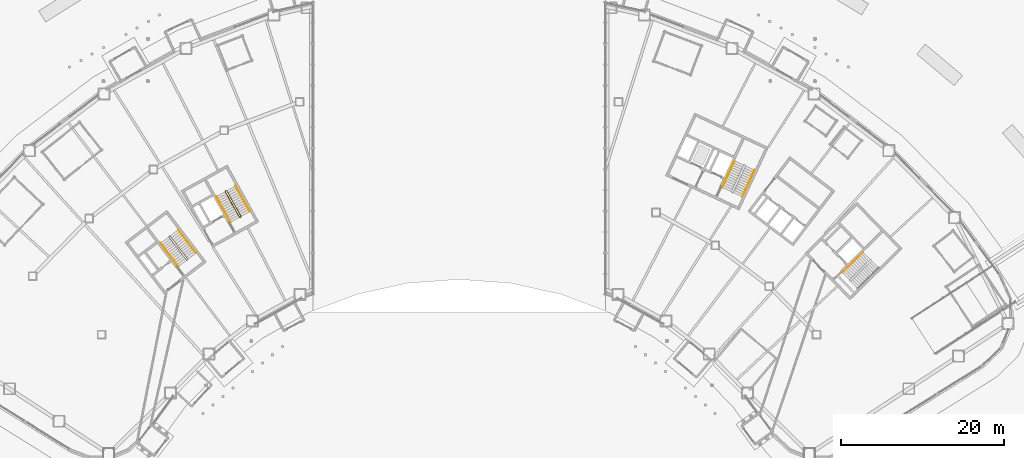
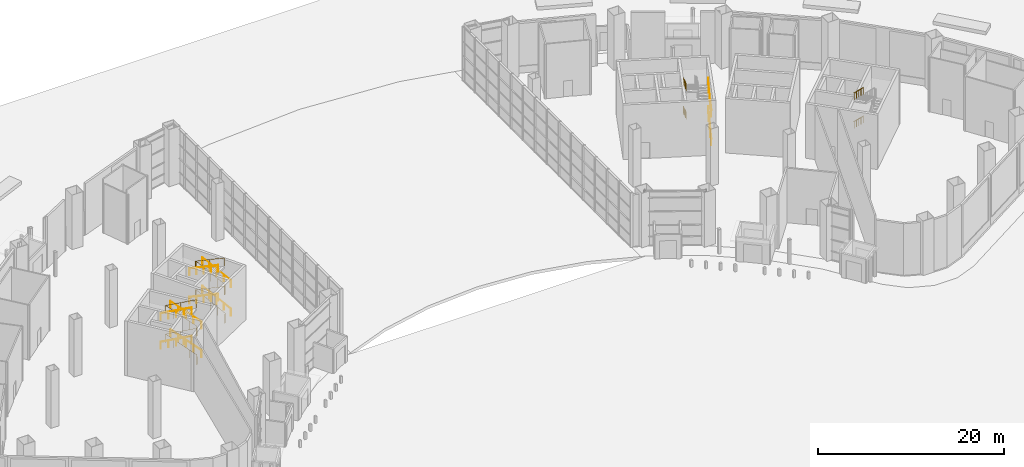
# One storey, part 40 of 45: 16 railings.
"""IFC4 building model written with IfcOpenShell, lengths in metres."""

from ifc_helpers import new_model, si_unit, direction, frame, origin, origin_2d, place, context, subcontext, project, spatial, circle, extrude, material, type_object, element, save


model = new_model("IFC4")

# Units and contexts
model_context = context("Model", 3, precision=1e-05, world=origin(), true_north=direction((0.0, 1.0)))
body_context = subcontext(model_context, "Body", "Model", "MODEL_VIEW")
ifc_project = project(units=[si_unit("LENGTHUNIT", "METRE"), si_unit("AREAUNIT", "SQUARE_METRE"), si_unit("VOLUMEUNIT", "CUBIC_METRE"), si_unit("PLANEANGLEUNIT", "RADIAN"), si_unit("MASSUNIT", "GRAM", prefix="KILO")], contexts=[model_context])

# Site, building, storey
site_placement = place(None, origin())
site = spatial("IfcSite", under=ifc_project, at=site_placement, CompositionType="ELEMENT")
building_placement = place(site_placement, origin())
building = spatial("IfcBuilding", under=site, at=building_placement, Name="Tuul Gate Civic Tower", CompositionType="ELEMENT")
storey_placement = place(building_placement, origin())
storey = spatial("IfcBuildingStorey", under=building, at=storey_placement, Name="Level 00", CompositionType="ELEMENT", Elevation=0.0)

# Railings
ifc_material_1 = material(Name="Painted steel", Category="steel")
railing_type_1 = type_object("IfcRailingType", Name="Stair guard", PredefinedType="GUARDRAIL", material=ifc_material_1)
railing_1_placement = place(storey_placement, frame((-33.382080078125, -13.515380859375, 0.0)))
element("IfcRailing", 1, at=railing_1_placement, inside=storey, type_object=railing_type_1, Name="Level 00 ST-1 stair guard 1", PredefinedType="GUARDRAIL", context=body_context, shape_type="SweptSolid", body=[
    extrude(circle(Radius=0.02392578125, at=origin_2d()), frame((0.0, 0.0, 1.076171875), z_axis=(-0.795879841968, -0.605454603706, 0.0), x_axis=(0.605454603706, -0.795879841968, 0.0)), (0.0, 0.0, 1.0), 0.10009765625),
    extrude(circle(Radius=0.02392578125, at=origin_2d()), frame((-0.07958984375, -0.060546875, 1.076171875), z_axis=(0.416299286957, 0.61019210554, 0.674062681073), x_axis=(-0.826063974707, 0.563576356576, 0.0)), (0.0, 0.0, 1.0), 0.214111328125),
    extrude(circle(Radius=0.02392578125, at=origin_2d()), frame((0.009521484375, 0.070068359375, 1.22021484375), z_axis=(-0.545940509368, 0.717081734875, 0.433292909865), x_axis=(-0.795649622695, -0.605757111312, 0.0)), (0.0, 0.0, 1.0), 3.994384765625),
    extrude(circle(Radius=0.02392578125, at=origin_2d()), frame((-2.171142578125, 2.934326171875, 2.951171875), z_axis=(-0.990893089246, 0.134650977284, 0.0), x_axis=(-0.134650977284, -0.990893089246, 0.0)), (0.0, 0.0, 1.0), 0.07080078125),
    extrude(circle(Radius=0.02392578125, at=origin_2d()), frame((-2.2412109375, 2.94384765625, 2.951171875), z_axis=(-0.795879841968, -0.605454603706, 0.0), x_axis=(0.605454603706, -0.795879841968, 0.0)), (0.0, 0.0, 1.0), 0.10009765625),
    extrude(circle(Radius=0.02392578125, at=origin_2d()), frame((-2.32080078125, 2.88330078125, 2.951171875), z_axis=(-0.059256353185, -0.436065983694, 0.897961659801), x_axis=(0.990893089246, -0.134650977284, 0.0)), (0.0, 0.0, 1.0), 0.16064453125),
    extrude(circle(Radius=0.02392578125, at=origin_2d()), frame((-2.330322265625, 2.813232421875, 3.09521484375), z_axis=(0.545940509368, -0.717081734875, 0.433292909865), x_axis=(0.795649622695, 0.605757111312, 0.0)), (0.0, 0.0, 1.0), 3.994384765625),
    extrude(circle(Radius=0.02392578125, at=origin_2d()), frame((-0.149658203125, -0.051025390625, 4.826171875), z_axis=(0.946499470085, 0.32270536582, 0.0), x_axis=(-0.32270536582, 0.946499470085, 0.0)), (0.0, 0.0, 1.0), 0.158203125),
    extrude(circle(Radius=0.02392578125, at=origin_2d()), frame((0.0, 0.0, 4.826171875), z_axis=(-0.795879841968, -0.605454603706, 0.0), x_axis=(0.605454603706, -0.795879841968, 0.0)), (0.0, 0.0, 1.0), 0.10009765625),
    extrude(circle(Radius=0.02392578125, at=origin_2d()), frame((-0.07958984375, -0.060546875, 4.826171875), z_axis=(0.416299286957, 0.61019210554, 0.674062681073), x_axis=(-0.826063974707, 0.563576356576, 0.0)), (0.0, 0.0, 1.0), 0.214111328125),
    extrude(circle(Radius=0.02392578125, at=origin_2d()), frame((0.009521484375, 0.070068359375, 4.97021484375), z_axis=(-0.545940509368, 0.717081734875, 0.433292909865), x_axis=(-0.795649622695, -0.605757111312, 0.0)), (0.0, 0.0, 1.0), 3.994384765625),
    extrude(circle(Radius=0.02392578125, at=origin_2d()), frame((-2.171142578125, 2.934326171875, 6.701171875), z_axis=(-0.990893089246, 0.134650977284, 0.0), x_axis=(-0.134650977284, -0.990893089246, 0.0)), (0.0, 0.0, 1.0), 0.07080078125),
    extrude(circle(Radius=0.02392578125, at=origin_2d()), frame((-2.2412109375, 2.94384765625, 6.701171875), z_axis=(-0.795879841968, -0.605454603706, 0.0), x_axis=(0.605454603706, -0.795879841968, 0.0)), (0.0, 0.0, 1.0), 0.10009765625),
    extrude(circle(Radius=0.02392578125, at=origin_2d()), frame((-2.32080078125, 2.88330078125, 6.701171875), z_axis=(-0.059256353185, -0.436065983694, 0.897961659801), x_axis=(0.990893089246, -0.134650977284, 0.0)), (0.0, 0.0, 1.0), 0.16064453125),
    extrude(circle(Radius=0.02392578125, at=origin_2d()), frame((-2.330322265625, 2.813232421875, 6.84521484375), z_axis=(0.545940509368, -0.717081734875, 0.433292909865), x_axis=(0.795649622695, 0.605757111312, 0.0)), (0.0, 0.0, 1.0), 3.994384765625),
    extrude(circle(Radius=0.02099609375, at=origin_2d()), origin(), (0.0, 0.0, 1.0), 1.052001953125),
    extrude(circle(Radius=0.02099609375, at=origin_2d()), frame((-0.07958984375, -0.060546875, 0.0)), (0.0, 0.0, 1.0), 1.052001953125),
    extrude(circle(Radius=0.02099609375, at=origin_2d()), frame((0.009521484375, 0.070068359375, 0.144287109375)), (0.0, 0.0, 1.0), 1.052001953125),
    extrude(circle(Radius=0.02099609375, at=origin_2d()), frame((-0.53564453125, 0.7861328125, 0.576904296875)), (0.0, 0.0, 1.0), 1.052001953125),
    extrude(circle(Radius=0.02099609375, at=origin_2d()), frame((-1.080810546875, 1.502197265625, 1.009765625)), (0.0, 0.0, 1.0), 1.052001953125),
    extrude(circle(Radius=0.02099609375, at=origin_2d()), frame((-1.6259765625, 2.21826171875, 1.4423828125)), (0.0, 0.0, 1.0), 1.052001953125),
    extrude(circle(Radius=0.02099609375, at=origin_2d()), frame((-2.171142578125, 2.934326171875, 1.875)), (0.0, 0.0, 1.0), 1.052001953125),
    extrude(circle(Radius=0.02099609375, at=origin_2d()), frame((-2.2412109375, 2.94384765625, 1.875)), (0.0, 0.0, 1.0), 1.052001953125),
    extrude(circle(Radius=0.02099609375, at=origin_2d()), frame((-2.32080078125, 2.88330078125, 1.875)), (0.0, 0.0, 1.0), 1.052001953125),
    extrude(circle(Radius=0.02099609375, at=origin_2d()), frame((-2.330322265625, 2.813232421875, 2.019287109375)), (0.0, 0.0, 1.0), 1.052001953125),
    extrude(circle(Radius=0.02099609375, at=origin_2d()), frame((-1.78515625, 2.09716796875, 2.451904296875)), (0.0, 0.0, 1.0), 1.052001953125),
    extrude(circle(Radius=0.02099609375, at=origin_2d()), frame((-1.239990234375, 1.381103515625, 2.884765625)), (0.0, 0.0, 1.0), 1.052001953125),
    extrude(circle(Radius=0.02099609375, at=origin_2d()), frame((-0.69482421875, 0.6650390625, 3.3173828125)), (0.0, 0.0, 1.0), 1.052001953125),
    extrude(circle(Radius=0.02099609375, at=origin_2d()), frame((-0.149658203125, -0.051025390625, 3.75)), (0.0, 0.0, 1.0), 1.052001953125),
    extrude(circle(Radius=0.02099609375, at=origin_2d()), frame((0.0, 0.0, 3.75)), (0.0, 0.0, 1.0), 1.052001953125),
    extrude(circle(Radius=0.02099609375, at=origin_2d()), frame((-0.07958984375, -0.060546875, 3.75)), (0.0, 0.0, 1.0), 1.052001953125),
    extrude(circle(Radius=0.02099609375, at=origin_2d()), frame((0.009521484375, 0.070068359375, 3.894287109375)), (0.0, 0.0, 1.0), 1.052001953125),
    extrude(circle(Radius=0.02099609375, at=origin_2d()), frame((-0.53564453125, 0.7861328125, 4.326904296875)), (0.0, 0.0, 1.0), 1.052001953125),
    extrude(circle(Radius=0.02099609375, at=origin_2d()), frame((-1.080810546875, 1.502197265625, 4.759765625)), (0.0, 0.0, 1.0), 1.052001953125),
    extrude(circle(Radius=0.02099609375, at=origin_2d()), frame((-1.6259765625, 2.21826171875, 5.1923828125)), (0.0, 0.0, 1.0), 1.052001953125),
    extrude(circle(Radius=0.02099609375, at=origin_2d()), frame((-2.171142578125, 2.934326171875, 5.625)), (0.0, 0.0, 1.0), 1.052001953125),
    extrude(circle(Radius=0.02099609375, at=origin_2d()), frame((-2.2412109375, 2.94384765625, 5.625)), (0.0, 0.0, 1.0), 1.052001953125),
    extrude(circle(Radius=0.02099609375, at=origin_2d()), frame((-2.32080078125, 2.88330078125, 5.625)), (0.0, 0.0, 1.0), 1.052001953125),
    extrude(circle(Radius=0.02099609375, at=origin_2d()), frame((-2.330322265625, 2.813232421875, 5.769287109375)), (0.0, 0.0, 1.0), 1.052001953125),
    extrude(circle(Radius=0.02099609375, at=origin_2d()), frame((-1.78515625, 2.09716796875, 6.201904296875)), (0.0, 0.0, 1.0), 1.052001953125),
    extrude(circle(Radius=0.02099609375, at=origin_2d()), frame((-1.239990234375, 1.381103515625, 6.634765625)), (0.0, 0.0, 1.0), 1.052001953125),
    extrude(circle(Radius=0.02099609375, at=origin_2d()), frame((-0.69482421875, 0.6650390625, 7.0673828125)), (0.0, 0.0, 1.0), 1.052001953125),
    extrude(circle(Radius=0.02099609375, at=origin_2d()), frame((-0.149658203125, -0.051025390625, 7.5)), (0.0, 0.0, 1.0), 1.052001953125),
])
railing_2_placement = place(storey_placement, frame((-26.857666015625, -8.247314453125, 0.0)))
element("IfcRailing", 2, at=railing_2_placement, inside=storey, type_object=railing_type_1, Name="Level 00 ST-2 stair guard 1", PredefinedType="GUARDRAIL", context=body_context, shape_type="SweptSolid", body=[
    extrude(circle(Radius=0.02392578125, at=origin_2d()), frame((0.0, 0.0, 1.076171875), z_axis=(-0.874616555828, -0.48481530532, 0.0), x_axis=(0.48481530532, -0.874616555828, 0.0)), (0.0, 0.0, 1.0), 0.10009765625),
    extrude(circle(Radius=0.02392578125, at=origin_2d()), frame((-0.087646484375, -0.048583984375, 1.076171875), z_axis=(0.499584165418, 0.544067686997, 0.67409644238), x_axis=(-0.736576986774, 0.676353711126, 0.0)), (0.0, 0.0, 1.0), 0.214111328125),
    extrude(circle(Radius=0.02392578125, at=origin_2d()), frame((0.019287109375, 0.06787109375, 1.22021484375), z_axis=(-0.4368941504, 0.788279778638, 0.433288001145), x_axis=(-0.874646272024, -0.48476169283, 0.0)), (0.0, 0.0, 1.0), 3.994384765625),
    extrude(circle(Radius=0.02392578125, at=origin_2d()), frame((-1.725830078125, 3.216552734375, 2.951171875), z_axis=(-0.961000426733, 0.276546885391, 0.0), x_axis=(-0.276546885391, -0.961000426733, 0.0)), (0.0, 0.0, 1.0), 0.070556640625),
    extrude(circle(Radius=0.02392578125, at=origin_2d()), frame((-1.793701171875, 3.236083984375, 2.951171875), z_axis=(-0.875078096442, -0.48398174049, 0.0), x_axis=(0.48398174049, -0.875078096442, 0.0)), (0.0, 0.0, 1.0), 0.099853515625),
    extrude(circle(Radius=0.02392578125, at=origin_2d()), frame((-1.881103515625, 3.187744140625, 2.951171875), z_axis=(-0.121502276817, -0.423739190401, 0.897598069988), x_axis=(0.961263487578, -0.275631107549, 0.0)), (0.0, 0.0, 1.0), 0.16064453125),
    extrude(circle(Radius=0.02392578125, at=origin_2d()), frame((-1.900634765625, 3.11962890625, 3.09521484375), z_axis=(0.4368941504, -0.788279778638, 0.433288001145), x_axis=(0.874646272024, 0.48476169283, 0.0)), (0.0, 0.0, 1.0), 3.994384765625),
    extrude(circle(Radius=0.02392578125, at=origin_2d()), frame((-0.155517578125, -0.029052734375, 4.826171875), z_axis=(0.98299425886, 0.183636290117, 0.0), x_axis=(-0.183636290117, 0.98299425886, 0.0)), (0.0, 0.0, 1.0), 0.158203125),
    extrude(circle(Radius=0.02392578125, at=origin_2d()), frame((0.0, 0.0, 4.826171875), z_axis=(-0.874616555828, -0.48481530532, 0.0), x_axis=(0.48481530532, -0.874616555828, 0.0)), (0.0, 0.0, 1.0), 0.10009765625),
    extrude(circle(Radius=0.02392578125, at=origin_2d()), frame((-0.087646484375, -0.048583984375, 4.826171875), z_axis=(0.499584165418, 0.544067686997, 0.67409644238), x_axis=(-0.736576986774, 0.676353711126, 0.0)), (0.0, 0.0, 1.0), 0.214111328125),
    extrude(circle(Radius=0.02392578125, at=origin_2d()), frame((0.019287109375, 0.06787109375, 4.97021484375), z_axis=(-0.4368941504, 0.788279778638, 0.433288001145), x_axis=(-0.874646272024, -0.48476169283, 0.0)), (0.0, 0.0, 1.0), 3.994384765625),
    extrude(circle(Radius=0.02392578125, at=origin_2d()), frame((-1.725830078125, 3.216552734375, 6.701171875), z_axis=(-0.961000426733, 0.276546885391, 0.0), x_axis=(-0.276546885391, -0.961000426733, 0.0)), (0.0, 0.0, 1.0), 0.070556640625),
    extrude(circle(Radius=0.02392578125, at=origin_2d()), frame((-1.793701171875, 3.236083984375, 6.701171875), z_axis=(-0.875078096442, -0.48398174049, 0.0), x_axis=(0.48398174049, -0.875078096442, 0.0)), (0.0, 0.0, 1.0), 0.099853515625),
    extrude(circle(Radius=0.02392578125, at=origin_2d()), frame((-1.881103515625, 3.187744140625, 6.701171875), z_axis=(-0.121502276817, -0.423739190401, 0.897598069988), x_axis=(0.961263487578, -0.275631107549, 0.0)), (0.0, 0.0, 1.0), 0.16064453125),
    extrude(circle(Radius=0.02392578125, at=origin_2d()), frame((-1.900634765625, 3.11962890625, 6.84521484375), z_axis=(0.4368941504, -0.788279778638, 0.433288001145), x_axis=(0.874646272024, 0.48476169283, 0.0)), (0.0, 0.0, 1.0), 3.994384765625),
    extrude(circle(Radius=0.02099609375, at=origin_2d()), origin(), (0.0, 0.0, 1.0), 1.052001953125),
    extrude(circle(Radius=0.02099609375, at=origin_2d()), frame((-0.087646484375, -0.048583984375, 0.0)), (0.0, 0.0, 1.0), 1.052001953125),
    extrude(circle(Radius=0.02099609375, at=origin_2d()), frame((0.019287109375, 0.06787109375, 0.144287109375)), (0.0, 0.0, 1.0), 1.052001953125),
    extrude(circle(Radius=0.02099609375, at=origin_2d()), frame((-0.4169921875, 0.85498046875, 0.576904296875)), (0.0, 0.0, 1.0), 1.052001953125),
    extrude(circle(Radius=0.02099609375, at=origin_2d()), frame((-0.853271484375, 1.64208984375, 1.009765625)), (0.0, 0.0, 1.0), 1.052001953125),
    extrude(circle(Radius=0.02099609375, at=origin_2d()), frame((-1.28955078125, 2.429443359375, 1.4423828125)), (0.0, 0.0, 1.0), 1.052001953125),
    extrude(circle(Radius=0.02099609375, at=origin_2d()), frame((-1.725830078125, 3.216552734375, 1.875)), (0.0, 0.0, 1.0), 1.052001953125),
    extrude(circle(Radius=0.02099609375, at=origin_2d()), frame((-1.793701171875, 3.236083984375, 1.875)), (0.0, 0.0, 1.0), 1.052001953125),
    extrude(circle(Radius=0.02099609375, at=origin_2d()), frame((-1.881103515625, 3.187744140625, 1.875)), (0.0, 0.0, 1.0), 1.052001953125),
    extrude(circle(Radius=0.02099609375, at=origin_2d()), frame((-1.900634765625, 3.11962890625, 2.019287109375)), (0.0, 0.0, 1.0), 1.052001953125),
    extrude(circle(Radius=0.02099609375, at=origin_2d()), frame((-1.46435546875, 2.33251953125, 2.451904296875)), (0.0, 0.0, 1.0), 1.052001953125),
    extrude(circle(Radius=0.02099609375, at=origin_2d()), frame((-1.028076171875, 1.54541015625, 2.884765625)), (0.0, 0.0, 1.0), 1.052001953125),
    extrude(circle(Radius=0.02099609375, at=origin_2d()), frame((-0.591796875, 0.758056640625, 3.3173828125)), (0.0, 0.0, 1.0), 1.052001953125),
    extrude(circle(Radius=0.02099609375, at=origin_2d()), frame((-0.155517578125, -0.029052734375, 3.75)), (0.0, 0.0, 1.0), 1.052001953125),
    extrude(circle(Radius=0.02099609375, at=origin_2d()), frame((0.0, 0.0, 3.75)), (0.0, 0.0, 1.0), 1.052001953125),
    extrude(circle(Radius=0.02099609375, at=origin_2d()), frame((-0.087646484375, -0.048583984375, 3.75)), (0.0, 0.0, 1.0), 1.052001953125),
    extrude(circle(Radius=0.02099609375, at=origin_2d()), frame((0.019287109375, 0.06787109375, 3.894287109375)), (0.0, 0.0, 1.0), 1.052001953125),
    extrude(circle(Radius=0.02099609375, at=origin_2d()), frame((-0.4169921875, 0.85498046875, 4.326904296875)), (0.0, 0.0, 1.0), 1.052001953125),
    extrude(circle(Radius=0.02099609375, at=origin_2d()), frame((-0.853271484375, 1.64208984375, 4.759765625)), (0.0, 0.0, 1.0), 1.052001953125),
    extrude(circle(Radius=0.02099609375, at=origin_2d()), frame((-1.28955078125, 2.429443359375, 5.1923828125)), (0.0, 0.0, 1.0), 1.052001953125),
    extrude(circle(Radius=0.02099609375, at=origin_2d()), frame((-1.725830078125, 3.216552734375, 5.625)), (0.0, 0.0, 1.0), 1.052001953125),
    extrude(circle(Radius=0.02099609375, at=origin_2d()), frame((-1.793701171875, 3.236083984375, 5.625)), (0.0, 0.0, 1.0), 1.052001953125),
    extrude(circle(Radius=0.02099609375, at=origin_2d()), frame((-1.881103515625, 3.187744140625, 5.625)), (0.0, 0.0, 1.0), 1.052001953125),
    extrude(circle(Radius=0.02099609375, at=origin_2d()), frame((-1.900634765625, 3.11962890625, 5.769287109375)), (0.0, 0.0, 1.0), 1.052001953125),
    extrude(circle(Radius=0.02099609375, at=origin_2d()), frame((-1.46435546875, 2.33251953125, 6.201904296875)), (0.0, 0.0, 1.0), 1.052001953125),
    extrude(circle(Radius=0.02099609375, at=origin_2d()), frame((-1.028076171875, 1.54541015625, 6.634765625)), (0.0, 0.0, 1.0), 1.052001953125),
    extrude(circle(Radius=0.02099609375, at=origin_2d()), frame((-0.591796875, 0.758056640625, 7.0673828125)), (0.0, 0.0, 1.0), 1.052001953125),
    extrude(circle(Radius=0.02099609375, at=origin_2d()), frame((-0.155517578125, -0.029052734375, 7.5)), (0.0, 0.0, 1.0), 1.052001953125),
])
ifc_material_2 = material(Name="Painted steel", Category="steel")
railing_type_2 = type_object("IfcRailingType", Name="Stair handrail", PredefinedType="HANDRAIL", material=ifc_material_2)
railing_3_placement = place(storey_placement, frame((-32.3779296875, -12.688232421875, 0.144287109375)))
element("IfcRailing", 3, at=railing_3_placement, inside=storey, type_object=railing_type_2, Name="Level 00 ST-1 stair handrail 1", PredefinedType="HANDRAIL", context=body_context, shape_type="SweptSolid", body=[
    extrude(circle(Radius=0.02392578125, at=origin_2d()), frame((0.0, 0.0, 0.8759765625), z_axis=(-0.54595948369, 0.71708749828, 0.433259462653), x_axis=(-0.795641822265, -0.605767356882, 0.0)), (0.0, 0.0, 1.0), 3.99462890625),
    extrude(circle(Radius=0.02099609375, at=origin_2d()), origin(), (0.0, 0.0, 1.0), 0.851806640625),
    extrude(circle(Radius=0.02099609375, at=origin_2d()), frame((-0.545166015625, 0.716064453125, 0.4326171875)), (0.0, 0.0, 1.0), 0.851806640625),
    extrude(circle(Radius=0.02099609375, at=origin_2d()), frame((-1.09033203125, 1.43212890625, 0.865234375)), (0.0, 0.0, 1.0), 0.851806640625),
    extrude(circle(Radius=0.02099609375, at=origin_2d()), frame((-1.6357421875, 2.1484375, 1.298095703125)), (0.0, 0.0, 1.0), 0.851806640625),
    extrude(circle(Radius=0.02099609375, at=origin_2d()), frame((-2.180908203125, 2.864501953125, 1.730712890625)), (0.0, 0.0, 1.0), 0.851806640625),
])
railing_4_placement = place(storey_placement, frame((-36.70703125, -11.45947265625, 2.019287109375)))
element("IfcRailing", 4, at=railing_4_placement, inside=storey, type_object=railing_type_2, Name="Level 00 ST-1 stair handrail 2", PredefinedType="HANDRAIL", context=body_context, shape_type="SweptSolid", body=[
    extrude(circle(Radius=0.02392578125, at=origin_2d()), frame((0.0, 0.0, 0.8759765625), z_axis=(0.545983411651, -0.717057806503, 0.43327845127), x_axis=(0.795616936247, 0.605800041893, 0.0)), (0.0, 0.0, 1.0), 3.994384765625),
    extrude(circle(Radius=0.02099609375, at=origin_2d()), origin(), (0.0, 0.0, 1.0), 0.851806640625),
    extrude(circle(Radius=0.02099609375, at=origin_2d()), frame((0.545166015625, -0.716064453125, 0.4326171875)), (0.0, 0.0, 1.0), 0.851806640625),
    extrude(circle(Radius=0.02099609375, at=origin_2d()), frame((1.09033203125, -1.43212890625, 0.865234375)), (0.0, 0.0, 1.0), 0.851806640625),
    extrude(circle(Radius=0.02099609375, at=origin_2d()), frame((1.6357421875, -2.148193359375, 1.298095703125)), (0.0, 0.0, 1.0), 0.851806640625),
    extrude(circle(Radius=0.02099609375, at=origin_2d()), frame((2.180908203125, -2.8642578125, 1.730712890625)), (0.0, 0.0, 1.0), 0.851806640625),
])
railing_5_placement = place(storey_placement, frame((-32.3779296875, -12.688232421875, 3.894287109375)))
element("IfcRailing", 5, at=railing_5_placement, inside=storey, type_object=railing_type_2, Name="Level 00 ST-1 stair handrail 3", PredefinedType="HANDRAIL", context=body_context, shape_type="SweptSolid", body=[
    extrude(circle(Radius=0.02392578125, at=origin_2d()), frame((0.0, 0.0, 0.8759765625), z_axis=(-0.54595948369, 0.71708749828, 0.433259462653), x_axis=(-0.795641822265, -0.605767356882, 0.0)), (0.0, 0.0, 1.0), 3.99462890625),
    extrude(circle(Radius=0.02099609375, at=origin_2d()), origin(), (0.0, 0.0, 1.0), 0.851806640625),
    extrude(circle(Radius=0.02099609375, at=origin_2d()), frame((-0.545166015625, 0.716064453125, 0.4326171875)), (0.0, 0.0, 1.0), 0.851806640625),
    extrude(circle(Radius=0.02099609375, at=origin_2d()), frame((-1.09033203125, 1.43212890625, 0.865234375)), (0.0, 0.0, 1.0), 0.851806640625),
    extrude(circle(Radius=0.02099609375, at=origin_2d()), frame((-1.6357421875, 2.1484375, 1.298095703125)), (0.0, 0.0, 1.0), 0.851806640625),
    extrude(circle(Radius=0.02099609375, at=origin_2d()), frame((-2.180908203125, 2.864501953125, 1.730712890625)), (0.0, 0.0, 1.0), 0.851806640625),
])
railing_6_placement = place(storey_placement, frame((-36.70703125, -11.45947265625, 5.769287109375)))
element("IfcRailing", 6, at=railing_6_placement, inside=storey, type_object=railing_type_2, Name="Level 00 ST-1 stair handrail 4", PredefinedType="HANDRAIL", context=body_context, shape_type="SweptSolid", body=[
    extrude(circle(Radius=0.02392578125, at=origin_2d()), frame((0.0, 0.0, 0.8759765625), z_axis=(0.545983411651, -0.717057806503, 0.43327845127), x_axis=(0.795616936247, 0.605800041893, 0.0)), (0.0, 0.0, 1.0), 3.994384765625),
    extrude(circle(Radius=0.02099609375, at=origin_2d()), origin(), (0.0, 0.0, 1.0), 0.851806640625),
    extrude(circle(Radius=0.02099609375, at=origin_2d()), frame((0.545166015625, -0.716064453125, 0.4326171875)), (0.0, 0.0, 1.0), 0.851806640625),
    extrude(circle(Radius=0.02099609375, at=origin_2d()), frame((1.09033203125, -1.43212890625, 0.865234375)), (0.0, 0.0, 1.0), 0.851806640625),
    extrude(circle(Radius=0.02099609375, at=origin_2d()), frame((1.6357421875, -2.148193359375, 1.298095703125)), (0.0, 0.0, 1.0), 0.851806640625),
    extrude(circle(Radius=0.02099609375, at=origin_2d()), frame((2.180908203125, -2.8642578125, 1.730712890625)), (0.0, 0.0, 1.0), 0.851806640625),
])
railing_7_placement = place(storey_placement, frame((-25.744873046875, -7.573486328125, 0.144287109375)))
element("IfcRailing", 7, at=railing_7_placement, inside=storey, type_object=railing_type_2, Name="Level 00 ST-2 stair handrail 1", PredefinedType="HANDRAIL", context=body_context, shape_type="SweptSolid", body=[
    extrude(circle(Radius=0.02392578125, at=origin_2d()), frame((0.0, 0.0, 0.8759765625), z_axis=(-0.4368941504, 0.788279778638, 0.433288001145), x_axis=(-0.874646272024, -0.48476169283, 0.0)), (0.0, 0.0, 1.0), 3.994384765625),
    extrude(circle(Radius=0.02099609375, at=origin_2d()), origin(), (0.0, 0.0, 1.0), 0.851806640625),
    extrude(circle(Radius=0.02099609375, at=origin_2d()), frame((-0.436279296875, 0.787109375, 0.4326171875)), (0.0, 0.0, 1.0), 0.851806640625),
    extrude(circle(Radius=0.02099609375, at=origin_2d()), frame((-0.87255859375, 1.57421875, 0.865234375)), (0.0, 0.0, 1.0), 0.851806640625),
    extrude(circle(Radius=0.02099609375, at=origin_2d()), frame((-1.308837890625, 2.361572265625, 1.298095703125)), (0.0, 0.0, 1.0), 0.851806640625),
    extrude(circle(Radius=0.02099609375, at=origin_2d()), frame((-1.7451171875, 3.148681640625, 1.730712890625)), (0.0, 0.0, 1.0), 0.851806640625),
])
railing_8_placement = place(storey_placement, frame((-29.8515625, -5.733642578125, 2.019287109375)))
element("IfcRailing", 8, at=railing_8_placement, inside=storey, type_object=railing_type_2, Name="Level 00 ST-2 stair handrail 2", PredefinedType="HANDRAIL", context=body_context, shape_type="SweptSolid", body=[
    extrude(circle(Radius=0.02392578125, at=origin_2d()), frame((0.0, 0.0, 0.8759765625), z_axis=(0.4368941504, -0.788279778638, 0.433288001145), x_axis=(0.874646272024, 0.48476169283, 0.0)), (0.0, 0.0, 1.0), 3.994384765625),
    extrude(circle(Radius=0.02099609375, at=origin_2d()), origin(), (0.0, 0.0, 1.0), 0.851806640625),
    extrude(circle(Radius=0.02099609375, at=origin_2d()), frame((0.436279296875, -0.787109375, 0.4326171875)), (0.0, 0.0, 1.0), 0.851806640625),
    extrude(circle(Radius=0.02099609375, at=origin_2d()), frame((0.87255859375, -1.57421875, 0.865234375)), (0.0, 0.0, 1.0), 0.851806640625),
    extrude(circle(Radius=0.02099609375, at=origin_2d()), frame((1.308837890625, -2.361572265625, 1.298095703125)), (0.0, 0.0, 1.0), 0.851806640625),
    extrude(circle(Radius=0.02099609375, at=origin_2d()), frame((1.7451171875, -3.148681640625, 1.730712890625)), (0.0, 0.0, 1.0), 0.851806640625),
])
railing_9_placement = place(storey_placement, frame((-25.744873046875, -7.573486328125, 3.894287109375)))
element("IfcRailing", 9, at=railing_9_placement, inside=storey, type_object=railing_type_2, Name="Level 00 ST-2 stair handrail 3", PredefinedType="HANDRAIL", context=body_context, shape_type="SweptSolid", body=[
    extrude(circle(Radius=0.02392578125, at=origin_2d()), frame((0.0, 0.0, 0.8759765625), z_axis=(-0.4368941504, 0.788279778638, 0.433288001145), x_axis=(-0.874646272024, -0.48476169283, 0.0)), (0.0, 0.0, 1.0), 3.994384765625),
    extrude(circle(Radius=0.02099609375, at=origin_2d()), origin(), (0.0, 0.0, 1.0), 0.851806640625),
    extrude(circle(Radius=0.02099609375, at=origin_2d()), frame((-0.436279296875, 0.787109375, 0.4326171875)), (0.0, 0.0, 1.0), 0.851806640625),
    extrude(circle(Radius=0.02099609375, at=origin_2d()), frame((-0.87255859375, 1.57421875, 0.865234375)), (0.0, 0.0, 1.0), 0.851806640625),
    extrude(circle(Radius=0.02099609375, at=origin_2d()), frame((-1.308837890625, 2.361572265625, 1.298095703125)), (0.0, 0.0, 1.0), 0.851806640625),
    extrude(circle(Radius=0.02099609375, at=origin_2d()), frame((-1.7451171875, 3.148681640625, 1.730712890625)), (0.0, 0.0, 1.0), 0.851806640625),
])
railing_10_placement = place(storey_placement, frame((-29.8515625, -5.733642578125, 5.769287109375)))
element("IfcRailing", 10, at=railing_10_placement, inside=storey, type_object=railing_type_2, Name="Level 00 ST-2 stair handrail 4", PredefinedType="HANDRAIL", context=body_context, shape_type="SweptSolid", body=[
    extrude(circle(Radius=0.02392578125, at=origin_2d()), frame((0.0, 0.0, 0.8759765625), z_axis=(0.4368941504, -0.788279778638, 0.433288001145), x_axis=(0.874646272024, 0.48476169283, 0.0)), (0.0, 0.0, 1.0), 3.994384765625),
    extrude(circle(Radius=0.02099609375, at=origin_2d()), origin(), (0.0, 0.0, 1.0), 0.851806640625),
    extrude(circle(Radius=0.02099609375, at=origin_2d()), frame((0.436279296875, -0.787109375, 0.4326171875)), (0.0, 0.0, 1.0), 0.851806640625),
    extrude(circle(Radius=0.02099609375, at=origin_2d()), frame((0.87255859375, -1.57421875, 0.865234375)), (0.0, 0.0, 1.0), 0.851806640625),
    extrude(circle(Radius=0.02099609375, at=origin_2d()), frame((1.308837890625, -2.361572265625, 1.298095703125)), (0.0, 0.0, 1.0), 0.851806640625),
    extrude(circle(Radius=0.02099609375, at=origin_2d()), frame((1.7451171875, -3.148681640625, 1.730712890625)), (0.0, 0.0, 1.0), 0.851806640625),
])
for number, where, name in (
    (11, (49.732177734375, -12.579833984375, 2.019287109375), "Level 00 ST-3 stair handrail 2"),
    (12, (49.732177734375, -12.579833984375, 5.769287109375), "Level 00 ST-3 stair handrail 4"),
):
    element("IfcRailing", number, at=place(storey_placement, frame(where)), inside=storey, type_object=railing_type_2, Name=name, PredefinedType="HANDRAIL", context=body_context, shape_type="SweptSolid", body=[
        extrude(circle(Radius=0.02392578125, at=origin_2d()), frame((0.0, 0.0, 0.8759765625), z_axis=(-0.643644080134, -0.630870211295, 0.433272517717), x_axis=(0.699984619797, -0.714157918144, 0.0)), (0.0, 0.0, 1.0), 3.99462890625),
        extrude(circle(Radius=0.02099609375, at=origin_2d()), origin(), (0.0, 0.0, 1.0), 0.851806640625),
        extrude(circle(Radius=0.02099609375, at=origin_2d()), frame((-0.642822265625, -0.6298828125, 0.4326171875)), (0.0, 0.0, 1.0), 0.851806640625),
        extrude(circle(Radius=0.02099609375, at=origin_2d()), frame((-1.28564453125, -1.260009765625, 0.865234375)), (0.0, 0.0, 1.0), 0.851806640625),
        extrude(circle(Radius=0.02099609375, at=origin_2d()), frame((-1.92822265625, -1.89013671875, 1.298095703125)), (0.0, 0.0, 1.0), 0.851806640625),
        extrude(circle(Radius=0.02099609375, at=origin_2d()), frame((-2.571044921875, -2.52001953125, 1.730712890625)), (0.0, 0.0, 1.0), 0.851806640625),
    ])
railing_11_placement = place(storey_placement, frame((34.844970703125, -5.74267578125, 0.144287109375)))
element("IfcRailing", 13, at=railing_11_placement, inside=storey, type_object=railing_type_2, Name="Level 00 ST-4 stair handrail 1", PredefinedType="HANDRAIL", context=body_context, shape_type="SweptSolid", body=[
    extrude(circle(Radius=0.02392578125, at=origin_2d()), frame((0.0, 0.0, 0.8759765625), z_axis=(0.380882585338, 0.81683179606, 0.433260052545), x_axis=(-0.906313029783, 0.422607018452, 0.0)), (0.0, 0.0, 1.0), 3.99462890625),
    extrude(circle(Radius=0.02099609375, at=origin_2d()), origin(), (0.0, 0.0, 1.0), 0.851806640625),
    extrude(circle(Radius=0.02099609375, at=origin_2d()), frame((0.38037109375, 0.815673828125, 0.4326171875)), (0.0, 0.0, 1.0), 0.851806640625),
    extrude(circle(Radius=0.02099609375, at=origin_2d()), frame((0.7607421875, 1.63134765625, 0.865234375)), (0.0, 0.0, 1.0), 0.851806640625),
    extrude(circle(Radius=0.02099609375, at=origin_2d()), frame((1.14111328125, 2.447265625, 1.298095703125)), (0.0, 0.0, 1.0), 0.851806640625),
    extrude(circle(Radius=0.02099609375, at=origin_2d()), frame((1.521484375, 3.262939453125, 1.730712890625)), (0.0, 0.0, 1.0), 0.851806640625),
])
railing_12_placement = place(storey_placement, frame((33.919189453125, -1.3388671875, 2.019287109375)))
element("IfcRailing", 14, at=railing_12_placement, inside=storey, type_object=railing_type_2, Name="Level 00 ST-4 stair handrail 2", PredefinedType="HANDRAIL", context=body_context, shape_type="SweptSolid", body=[
    extrude(circle(Radius=0.02392578125, at=origin_2d()), frame((0.0, 0.0, 0.8759765625), z_axis=(-0.380849346253, -0.816830470762, 0.433291769473), x_axis=(0.906326892595, -0.422577287321, 0.0)), (0.0, 0.0, 1.0), 3.994384765625),
    extrude(circle(Radius=0.02099609375, at=origin_2d()), origin(), (0.0, 0.0, 1.0), 0.851806640625),
    extrude(circle(Radius=0.02099609375, at=origin_2d()), frame((-0.38037109375, -0.815673828125, 0.4326171875)), (0.0, 0.0, 1.0), 0.851806640625),
    extrude(circle(Radius=0.02099609375, at=origin_2d()), frame((-0.7607421875, -1.63134765625, 0.865234375)), (0.0, 0.0, 1.0), 0.851806640625),
    extrude(circle(Radius=0.02099609375, at=origin_2d()), frame((-1.140869140625, -2.447021484375, 1.298095703125)), (0.0, 0.0, 1.0), 0.851806640625),
    extrude(circle(Radius=0.02099609375, at=origin_2d()), frame((-1.521240234375, -3.2626953125, 1.730712890625)), (0.0, 0.0, 1.0), 0.851806640625),
])
railing_13_placement = place(storey_placement, frame((34.844970703125, -5.74267578125, 3.894287109375)))
element("IfcRailing", 15, at=railing_13_placement, inside=storey, type_object=railing_type_2, Name="Level 00 ST-4 stair handrail 3", PredefinedType="HANDRAIL", context=body_context, shape_type="SweptSolid", body=[
    extrude(circle(Radius=0.02392578125, at=origin_2d()), frame((0.0, 0.0, 0.8759765625), z_axis=(0.380882585338, 0.81683179606, 0.433260052545), x_axis=(-0.906313029783, 0.422607018452, 0.0)), (0.0, 0.0, 1.0), 3.99462890625),
    extrude(circle(Radius=0.02099609375, at=origin_2d()), origin(), (0.0, 0.0, 1.0), 0.851806640625),
    extrude(circle(Radius=0.02099609375, at=origin_2d()), frame((0.38037109375, 0.815673828125, 0.4326171875)), (0.0, 0.0, 1.0), 0.851806640625),
    extrude(circle(Radius=0.02099609375, at=origin_2d()), frame((0.7607421875, 1.63134765625, 0.865234375)), (0.0, 0.0, 1.0), 0.851806640625),
    extrude(circle(Radius=0.02099609375, at=origin_2d()), frame((1.14111328125, 2.447265625, 1.298095703125)), (0.0, 0.0, 1.0), 0.851806640625),
    extrude(circle(Radius=0.02099609375, at=origin_2d()), frame((1.521484375, 3.262939453125, 1.730712890625)), (0.0, 0.0, 1.0), 0.851806640625),
])
railing_14_placement = place(storey_placement, frame((33.919189453125, -1.3388671875, 5.769287109375)))
element("IfcRailing", 16, at=railing_14_placement, inside=storey, type_object=railing_type_2, Name="Level 00 ST-4 stair handrail 4", PredefinedType="HANDRAIL", context=body_context, shape_type="SweptSolid", body=[
    extrude(circle(Radius=0.02392578125, at=origin_2d()), frame((0.0, 0.0, 0.8759765625), z_axis=(-0.380849346253, -0.816830470762, 0.433291769473), x_axis=(0.906326892595, -0.422577287321, 0.0)), (0.0, 0.0, 1.0), 3.994384765625),
    extrude(circle(Radius=0.02099609375, at=origin_2d()), origin(), (0.0, 0.0, 1.0), 0.851806640625),
    extrude(circle(Radius=0.02099609375, at=origin_2d()), frame((-0.38037109375, -0.815673828125, 0.4326171875)), (0.0, 0.0, 1.0), 0.851806640625),
    extrude(circle(Radius=0.02099609375, at=origin_2d()), frame((-0.7607421875, -1.63134765625, 0.865234375)), (0.0, 0.0, 1.0), 0.851806640625),
    extrude(circle(Radius=0.02099609375, at=origin_2d()), frame((-1.140869140625, -2.447021484375, 1.298095703125)), (0.0, 0.0, 1.0), 0.851806640625),
    extrude(circle(Radius=0.02099609375, at=origin_2d()), frame((-1.521240234375, -3.2626953125, 1.730712890625)), (0.0, 0.0, 1.0), 0.851806640625),
])

save(model, "model.ifc")
